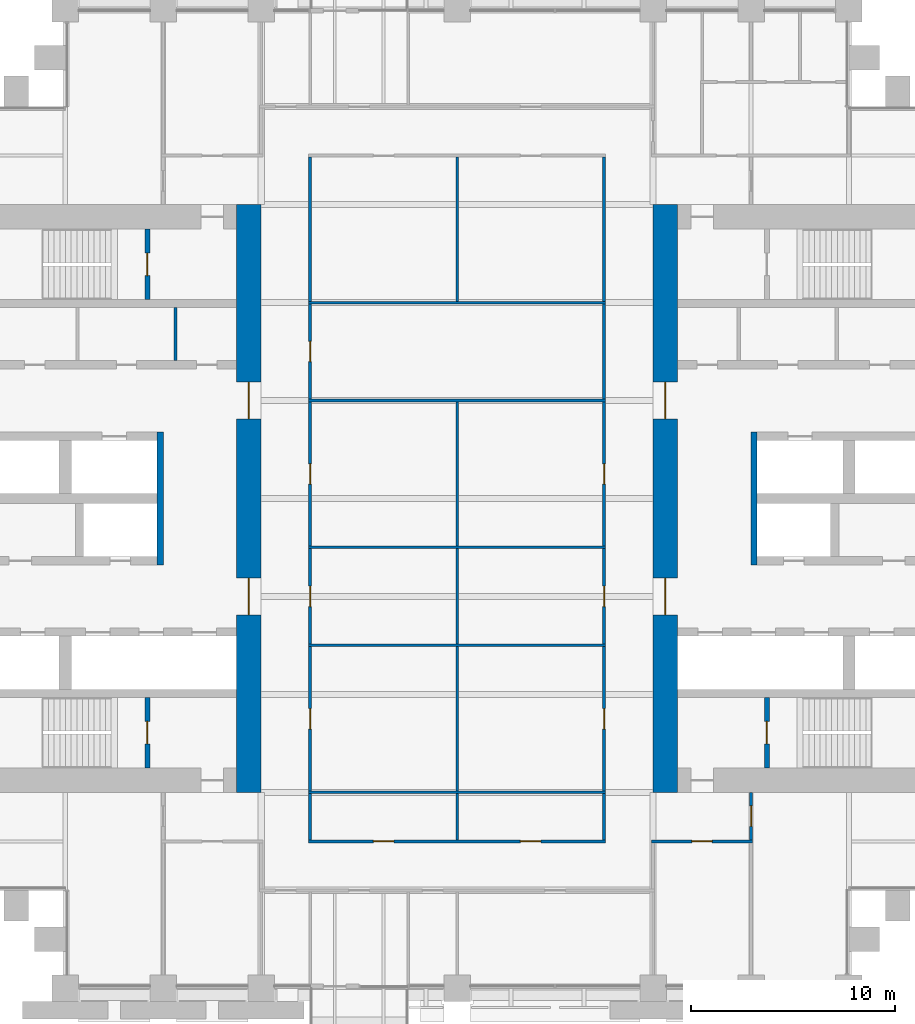
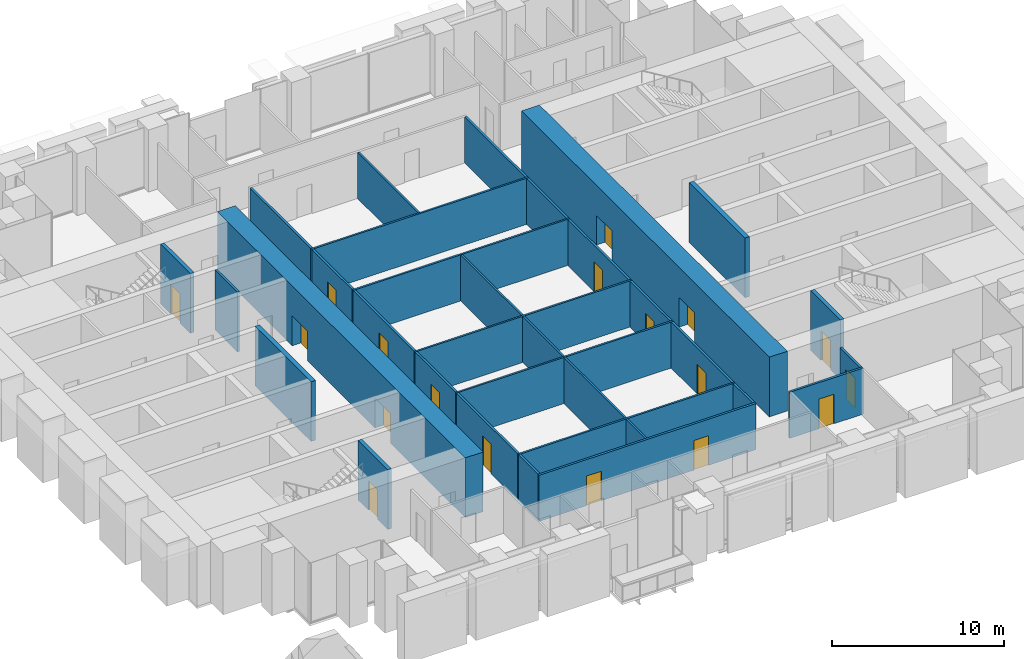
# One storey, part 24 of 32: 33 walls, 18 doors, 18 openings.
"""IFC4 building model written with IfcOpenShell, lengths in metres."""

from ifc_helpers import new_model, si_unit, direction, frame, frame_2d, origin, place, context, subcontext, project, spatial, rectangle, extrude, material, layer, layer_set, type_object, element, fill, save


model = new_model("IFC4")

# Units and contexts
model_context = context("Model", 3, precision=1e-05, world=origin(), true_north=direction((0.0, 1.0)))
body_context = subcontext(model_context, "Body", "Model", "MODEL_VIEW")
ifc_project = project(units=[si_unit("LENGTHUNIT", "METRE"), si_unit("AREAUNIT", "SQUARE_METRE"), si_unit("VOLUMEUNIT", "CUBIC_METRE"), si_unit("PLANEANGLEUNIT", "RADIAN"), si_unit("MASSUNIT", "GRAM", prefix="KILO")], contexts=[model_context])

# Site, building, storey
site_placement = place(None, origin())
site = spatial("IfcSite", under=ifc_project, at=site_placement, CompositionType="ELEMENT")
building_placement = place(site_placement, origin())
building = spatial("IfcBuilding", under=site, at=building_placement, Name="Baori Bourse Tower", CompositionType="ELEMENT")
storey_placement = place(building_placement, frame((0.0, 0.0, 21.39990234375)))
storey = spatial("IfcBuildingStorey", under=building, at=storey_placement, Name="L03", CompositionType="ELEMENT", Elevation=21.39990234375)

# Wall
ifc_material_1 = material(Name="Blockwork partition", Category="masonry")
ifc_layer_1 = layer(ifc_material_1, 0.14990234375)
ifc_layer_set_1 = layer_set([ifc_layer_1], Name="Core partition 150")
wall_type_1 = type_object("IfcWallType", Name="Core partition 150", PredefinedType="PARTITIONING", material=ifc_layer_set_1)
wall_1_placement = place(storey_placement, frame((15.0, 30.75, 0.0), z_axis=(0.0, 0.0, 1.0), x_axis=(0.0, 1.0, 0.0)))
element("IfcWall", 1, at=wall_1_placement, inside=storey, type_object=wall_type_1, Name="Partition wall W20", PredefinedType="PARTITIONING", context=body_context, shape_type="SweptSolid", body=[
    extrude(rectangle(XDim=2.60009765625, YDim=0.14990234375, at=frame_2d((1.300048828125, 0.0))), origin(), (0.0, 0.0, 1.0), 4.239990234375),
])

# Wall, openings, doors
ifc_material_2 = material(Name="Concrete f'c 70 MPa", Category="concrete")
ifc_layer_2 = layer(ifc_material_2, 1.199951171875)
ifc_layer_set_2 = layer_set([ifc_layer_2], Name="Core wall 1200 f'c 70")
wall_type_2 = type_object("IfcWallType", Name="Core wall 1200 f'c 70", PredefinedType="SHEAR", material=ifc_layer_set_2)
wall_2_placement = place(storey_placement, frame((18.60009765625, 38.39990234375, 0.0), z_axis=(0.0, 0.0, 1.0), x_axis=(0.0, -1.0, 0.0)))
wall_2 = element("IfcWall", 2, at=wall_2_placement, inside=storey, type_object=wall_type_2, Name="Core wall W04", PredefinedType="SHEAR", context=body_context, shape_type="SweptSolid", body=[
    extrude(rectangle(XDim=28.7998046875, YDim=1.199951171875, at=frame_2d((14.39990234375, 0.0))), origin(), (0.0, 0.0, 1.0), 4.239990234375),
])
opening_1_placement = place(wall_2_placement, frame((18.300048828125, 0.0, 0.0)))
opening_1 = element("IfcOpeningElement", 3, at=opening_1_placement, cuts=wall_2, Name="Opening L03-D107", PredefinedType="OPENING", context=body_context, shape_type="SweptSolid", body=[
    extrude(rectangle(XDim=1.800048828125, YDim=2.10009765625, at=frame_2d((0.89990234375, 1.050048828125))), frame((0.0, 0.60986328125, 0.0), z_axis=(0.0, -1.0, 0.0), x_axis=(1.0, 0.0, 0.0)), (0.0, 0.0, 1.0), 1.219970703125),
])
opening_2_placement = place(wall_2_placement, frame((8.699951171875, 0.0, 0.0)))
opening_2 = element("IfcOpeningElement", 4, at=opening_2_placement, cuts=wall_2, Name="Opening L03-D108", PredefinedType="OPENING", context=body_context, shape_type="SweptSolid", body=[
    extrude(rectangle(XDim=1.800048828125, YDim=2.10009765625, at=frame_2d((0.89990234375, 1.050048828125))), frame((0.0, 0.60986328125, 0.0), z_axis=(0.0, -1.0, 0.0), x_axis=(1.0, 0.0, 0.0)), (0.0, 0.0, 1.0), 1.219970703125),
])
ifc_material_3 = material(Name="Painted steel door", Category="steel")
door_type_1 = type_object("IfcDoorType", Name="Core lobby door 1800", OperationType="DOUBLE_DOOR_SINGLE_SWING", PredefinedType="DOOR", material=ifc_material_3)
door_1_placement = place(opening_1_placement, origin())
door_1 = element("IfcDoor", 5, at=door_1_placement, inside=storey, type_object=door_type_1, Name="Lobby door W L03", OperationType="DOUBLE_DOOR_SINGLE_SWING", OverallHeight=2.10009765625, OverallWidth=1.800048828125, PredefinedType="DOOR", context=body_context, shape_type="SweptSolid", body=[
    extrude(rectangle(XDim=1.800048828125, YDim=2.10009765625, at=frame_2d((0.89990234375, 1.050048828125))), frame((0.0, 0.02490234375, 0.0), z_axis=(0.0, -1.0, 0.0), x_axis=(1.0, 0.0, 0.0)), (0.0, 0.0, 1.0), 0.050048828125),
])
fill(opening_1, door_1)
door_2_placement = place(opening_2_placement, origin())
door_2 = element("IfcDoor", 6, at=door_2_placement, inside=storey, type_object=door_type_1, Name="Lobby door W L03", OperationType="DOUBLE_DOOR_SINGLE_SWING", OverallHeight=2.10009765625, OverallWidth=1.800048828125, PredefinedType="DOOR", context=body_context, shape_type="SweptSolid", body=[
    extrude(rectangle(XDim=1.800048828125, YDim=2.10009765625, at=frame_2d((0.89990234375, 1.050048828125))), frame((0.0, 0.02490234375, 0.0), z_axis=(0.0, -1.0, 0.0), x_axis=(1.0, 0.0, 0.0)), (0.0, 0.0, 1.0), 0.050048828125),
])
fill(opening_2, door_2)

wall_3_placement = place(storey_placement, frame((39.0, 9.60009765625, 0.0), z_axis=(0.0, 0.0, 1.0), x_axis=(0.0, 1.0, 0.0)))
wall_3 = element("IfcWall", 7, at=wall_3_placement, inside=storey, type_object=wall_type_2, Name="Core wall E04", PredefinedType="SHEAR", context=body_context, shape_type="SweptSolid", body=[
    extrude(rectangle(XDim=28.7998046875, YDim=1.199951171875, at=frame_2d((14.39990234375, 0.0))), origin(), (0.0, 0.0, 1.0), 4.239990234375),
])
opening_3_placement = place(wall_3_placement, frame((8.699951171875, 0.0, 0.0)))
opening_3 = element("IfcOpeningElement", 8, at=opening_3_placement, cuts=wall_3, Name="Opening L03-D207", PredefinedType="OPENING", context=body_context, shape_type="SweptSolid", body=[
    extrude(rectangle(XDim=1.800048828125, YDim=2.10009765625, at=frame_2d((0.89990234375, 1.050048828125))), frame((0.0, 0.60986328125, 0.0), z_axis=(0.0, -1.0, 0.0), x_axis=(1.0, 0.0, 0.0)), (0.0, 0.0, 1.0), 1.219970703125),
])
opening_4_placement = place(wall_3_placement, frame((18.300048828125, 0.0, 0.0)))
opening_4 = element("IfcOpeningElement", 9, at=opening_4_placement, cuts=wall_3, Name="Opening L03-D208", PredefinedType="OPENING", context=body_context, shape_type="SweptSolid", body=[
    extrude(rectangle(XDim=1.800048828125, YDim=2.10009765625, at=frame_2d((0.89990234375, 1.050048828125))), frame((0.0, 0.60986328125, 0.0), z_axis=(0.0, -1.0, 0.0), x_axis=(1.0, 0.0, 0.0)), (0.0, 0.0, 1.0), 1.219970703125),
])
door_3_placement = place(opening_3_placement, origin())
door_3 = element("IfcDoor", 10, at=door_3_placement, inside=storey, type_object=door_type_1, Name="Lobby door E L03", OperationType="DOUBLE_DOOR_SINGLE_SWING", OverallHeight=2.10009765625, OverallWidth=1.800048828125, PredefinedType="DOOR", context=body_context, shape_type="SweptSolid", body=[
    extrude(rectangle(XDim=1.800048828125, YDim=2.10009765625, at=frame_2d((0.89990234375, 1.050048828125))), frame((0.0, 0.02490234375, 0.0), z_axis=(0.0, -1.0, 0.0), x_axis=(1.0, 0.0, 0.0)), (0.0, 0.0, 1.0), 0.050048828125),
])
fill(opening_3, door_3)
door_4_placement = place(opening_4_placement, origin())
door_4 = element("IfcDoor", 11, at=door_4_placement, inside=storey, type_object=door_type_1, Name="Lobby door E L03", OperationType="DOUBLE_DOOR_SINGLE_SWING", OverallHeight=2.10009765625, OverallWidth=1.800048828125, PredefinedType="DOOR", context=body_context, shape_type="SweptSolid", body=[
    extrude(rectangle(XDim=1.800048828125, YDim=2.10009765625, at=frame_2d((0.89990234375, 1.050048828125))), frame((0.0, 0.02490234375, 0.0), z_axis=(0.0, -1.0, 0.0), x_axis=(1.0, 0.0, 0.0)), (0.0, 0.0, 1.0), 0.050048828125),
])
fill(opening_4, door_4)

ifc_material_4 = material(Name="Gypsum board partition")
ifc_layer_3 = layer(ifc_material_4, 0.14990234375)
ifc_layer_set_3 = layer_set([ifc_layer_3], Name="Corridor partition 150")
wall_type_3 = type_object("IfcWallType", Name="Corridor partition 150", PredefinedType="PARTITIONING", material=ifc_layer_set_3)
wall_4_placement = place(storey_placement, frame((21.52490234375, 7.199951171875, 0.0), z_axis=(0.0, 0.0, 1.0), x_axis=(1.0, 0.0, 0.0)))
wall_4 = element("IfcWall", 12, at=wall_4_placement, inside=storey, type_object=wall_type_3, Name="Partition", PredefinedType="PARTITIONING", context=body_context, shape_type="SweptSolid", body=[
    extrude(rectangle(XDim=14.550048828125, YDim=0.14990234375, at=frame_2d((7.27490234375, 0.0))), origin(), (0.0, 0.0, 1.0), 3.269775390625),
])
opening_5_placement = place(wall_4_placement, frame((3.175048828125, 0.0, 0.0)))
opening_5 = element("IfcOpeningElement", 13, at=opening_5_placement, cuts=wall_4, Name="Opening L03-D06", PredefinedType="OPENING", context=body_context, shape_type="SweptSolid", body=[
    extrude(rectangle(XDim=1.0, YDim=2.10009765625, at=frame_2d((0.5, 1.050048828125))), frame((0.0, 0.0849609375, 0.0), z_axis=(0.0, -1.0, 0.0), x_axis=(1.0, 0.0, 0.0)), (0.0, 0.0, 1.0), 0.169921875),
])
opening_6_placement = place(wall_4_placement, frame((10.375, 0.0, 0.0)))
opening_6 = element("IfcOpeningElement", 14, at=opening_6_placement, cuts=wall_4, Name="Opening L03-D07", PredefinedType="OPENING", context=body_context, shape_type="SweptSolid", body=[
    extrude(rectangle(XDim=1.0, YDim=2.10009765625, at=frame_2d((0.5, 1.050048828125))), frame((0.0, 0.0849609375, 0.0), z_axis=(0.0, -1.0, 0.0), x_axis=(1.0, 0.0, 0.0)), (0.0, 0.0, 1.0), 0.169921875),
])
ifc_material_5 = material(Name="Timber door leaf", Category="wood")
door_type_2 = type_object("IfcDoorType", Name="Door 1000 x 2100", OperationType="SINGLE_SWING_LEFT", PredefinedType="DOOR", material=ifc_material_5)
door_5_placement = place(opening_5_placement, origin())
door_5 = element("IfcDoor", 15, at=door_5_placement, inside=storey, type_object=door_type_2, Name="Door", OperationType="SINGLE_SWING_RIGHT", OverallHeight=2.10009765625, OverallWidth=1.0, PredefinedType="DOOR", context=body_context, shape_type="SweptSolid", body=[
    extrude(rectangle(XDim=1.0, YDim=2.10009765625, at=frame_2d((0.5, 1.050048828125))), frame((0.0, 0.02490234375, 0.0), z_axis=(0.0, -1.0, 0.0), x_axis=(1.0, 0.0, 0.0)), (0.0, 0.0, 1.0), 0.050048828125),
])
fill(opening_5, door_5)
door_6_placement = place(opening_6_placement, origin())
door_6 = element("IfcDoor", 16, at=door_6_placement, inside=storey, type_object=door_type_2, Name="Door", OperationType="SINGLE_SWING_LEFT", OverallHeight=2.10009765625, OverallWidth=1.0, PredefinedType="DOOR", context=body_context, shape_type="SweptSolid", body=[
    extrude(rectangle(XDim=1.0, YDim=2.10009765625, at=frame_2d((0.5, 1.050048828125))), frame((0.0, 0.02490234375, 0.0), z_axis=(0.0, -1.0, 0.0), x_axis=(1.0, 0.0, 0.0)), (0.0, 0.0, 1.0), 0.050048828125),
])
fill(opening_6, door_6)

# Wall, opening, door
wall_5_placement = place(storey_placement, frame((38.324951171875, 7.199951171875, 0.0), z_axis=(0.0, 0.0, 1.0), x_axis=(1.0, 0.0, 0.0)))
wall_5 = element("IfcWall", 17, at=wall_5_placement, inside=storey, type_object=wall_type_3, Name="Partition", PredefinedType="PARTITIONING", context=body_context, shape_type="SweptSolid", body=[
    extrude(rectangle(XDim=4.949951171875, YDim=0.14990234375, at=frame_2d((2.47509765625, 0.0))), origin(), (0.0, 0.0, 1.0), 3.269775390625),
])
opening_7_placement = place(wall_5_placement, frame((1.97509765625, 0.0, 0.0)))
opening_7 = element("IfcOpeningElement", 18, at=opening_7_placement, cuts=wall_5, Name="Opening L03-D08", PredefinedType="OPENING", context=body_context, shape_type="SweptSolid", body=[
    extrude(rectangle(XDim=1.0, YDim=2.10009765625, at=frame_2d((0.5, 1.050048828125))), frame((0.0, 0.0849609375, 0.0), z_axis=(0.0, -1.0, 0.0), x_axis=(1.0, 0.0, 0.0)), (0.0, 0.0, 1.0), 0.169921875),
])
door_7_placement = place(opening_7_placement, origin())
door_7 = element("IfcDoor", 19, at=door_7_placement, inside=storey, type_object=door_type_2, Name="Door", OperationType="SINGLE_SWING_LEFT", OverallHeight=2.10009765625, OverallWidth=1.0, PredefinedType="DOOR", context=body_context, shape_type="SweptSolid", body=[
    extrude(rectangle(XDim=1.0, YDim=2.10009765625, at=frame_2d((0.5, 1.050048828125))), frame((0.0, 0.02490234375, 0.0), z_axis=(0.0, -1.0, 0.0), x_axis=(1.0, 0.0, 0.0)), (0.0, 0.0, 1.0), 0.050048828125),
])
fill(opening_7, door_7)

# Wall
wall_6_placement = place(storey_placement, frame((21.60009765625, 7.27490234375, 0.0), z_axis=(0.0, 0.0, 1.0), x_axis=(0.0, 1.0, 0.0)))
element("IfcWall", 20, at=wall_6_placement, inside=storey, type_object=wall_type_3, Name="Partition", PredefinedType="PARTITIONING", context=body_context, shape_type="SweptSolid", body=[
    extrude(rectangle(XDim=2.2626953125, YDim=0.14990234375, at=frame_2d((1.13134765625, 0.0))), origin(), (0.0, 0.0, 1.0), 3.269775390625),
])

# Wall, opening, door
wall_7_placement = place(storey_placement, frame((21.60009765625, 9.66259765625, 0.0), z_axis=(0.0, 0.0, 1.0), x_axis=(0.0, 1.0, 0.0)))
wall_7 = element("IfcWall", 21, at=wall_7_placement, inside=storey, type_object=wall_type_3, Name="Partition", PredefinedType="PARTITIONING", context=body_context, shape_type="SweptSolid", body=[
    extrude(rectangle(XDim=7.074951171875, YDim=0.14990234375, at=frame_2d((3.53759765625, 0.0))), origin(), (0.0, 0.0, 1.0), 3.269775390625),
])
opening_8_placement = place(wall_7_placement, frame((3.03759765625, 0.0, 0.0)))
opening_8 = element("IfcOpeningElement", 22, at=opening_8_placement, cuts=wall_7, Name="Opening L03-D21", PredefinedType="OPENING", context=body_context, shape_type="SweptSolid", body=[
    extrude(rectangle(XDim=1.0, YDim=2.10009765625, at=frame_2d((0.5, 1.050048828125))), frame((0.0, 0.0849609375, 0.0), z_axis=(0.0, -1.0, 0.0), x_axis=(1.0, 0.0, 0.0)), (0.0, 0.0, 1.0), 0.169921875),
])
door_8_placement = place(opening_8_placement, origin())
door_8 = element("IfcDoor", 23, at=door_8_placement, inside=storey, type_object=door_type_2, Name="Door", OperationType="SINGLE_SWING_LEFT", OverallHeight=2.10009765625, OverallWidth=1.0, PredefinedType="DOOR", context=body_context, shape_type="SweptSolid", body=[
    extrude(rectangle(XDim=1.0, YDim=2.10009765625, at=frame_2d((0.5, 1.050048828125))), frame((0.0, 0.02490234375, 0.0), z_axis=(0.0, -1.0, 0.0), x_axis=(1.0, 0.0, 0.0)), (0.0, 0.0, 1.0), 0.050048828125),
])
fill(opening_8, door_8)

wall_8_placement = place(storey_placement, frame((21.60009765625, 16.862548828125, 0.0), z_axis=(0.0, 0.0, 1.0), x_axis=(0.0, 1.0, 0.0)))
wall_8 = element("IfcWall", 24, at=wall_8_placement, inside=storey, type_object=wall_type_3, Name="Partition", PredefinedType="PARTITIONING", context=body_context, shape_type="SweptSolid", body=[
    extrude(rectangle(XDim=4.675048828125, YDim=0.14990234375, at=frame_2d((2.33740234375, 0.0))), origin(), (0.0, 0.0, 1.0), 3.269775390625),
])
opening_9_placement = place(wall_8_placement, frame((1.83740234375, 0.0, 0.0)))
opening_9 = element("IfcOpeningElement", 25, at=opening_9_placement, cuts=wall_8, Name="Opening L03-D22", PredefinedType="OPENING", context=body_context, shape_type="SweptSolid", body=[
    extrude(rectangle(XDim=1.0, YDim=2.10009765625, at=frame_2d((0.5, 1.050048828125))), frame((0.0, 0.0849609375, 0.0), z_axis=(0.0, -1.0, 0.0), x_axis=(1.0, 0.0, 0.0)), (0.0, 0.0, 1.0), 0.169921875),
])
door_9_placement = place(opening_9_placement, origin())
door_9 = element("IfcDoor", 26, at=door_9_placement, inside=storey, type_object=door_type_2, Name="Door", OperationType="SINGLE_SWING_LEFT", OverallHeight=2.10009765625, OverallWidth=1.0, PredefinedType="DOOR", context=body_context, shape_type="SweptSolid", body=[
    extrude(rectangle(XDim=1.0, YDim=2.10009765625, at=frame_2d((0.5, 1.050048828125))), frame((0.0, 0.02490234375, 0.0), z_axis=(0.0, -1.0, 0.0), x_axis=(1.0, 0.0, 0.0)), (0.0, 0.0, 1.0), 0.050048828125),
])
fill(opening_9, door_9)

wall_9_placement = place(storey_placement, frame((21.60009765625, 21.66259765625, 0.0), z_axis=(0.0, 0.0, 1.0), x_axis=(0.0, 1.0, 0.0)))
wall_9 = element("IfcWall", 27, at=wall_9_placement, inside=storey, type_object=wall_type_3, Name="Partition", PredefinedType="PARTITIONING", context=body_context, shape_type="SweptSolid", body=[
    extrude(rectangle(XDim=7.074951171875, YDim=0.14990234375, at=frame_2d((3.53759765625, 0.0))), origin(), (0.0, 0.0, 1.0), 3.269775390625),
])
opening_10_placement = place(wall_9_placement, frame((3.03759765625, 0.0, 0.0)))
opening_10 = element("IfcOpeningElement", 28, at=opening_10_placement, cuts=wall_9, Name="Opening L03-D23", PredefinedType="OPENING", context=body_context, shape_type="SweptSolid", body=[
    extrude(rectangle(XDim=1.0, YDim=2.10009765625, at=frame_2d((0.5, 1.050048828125))), frame((0.0, 0.0849609375, 0.0), z_axis=(0.0, -1.0, 0.0), x_axis=(1.0, 0.0, 0.0)), (0.0, 0.0, 1.0), 0.169921875),
])
door_10_placement = place(opening_10_placement, origin())
door_10 = element("IfcDoor", 29, at=door_10_placement, inside=storey, type_object=door_type_2, Name="Door", OperationType="SINGLE_SWING_LEFT", OverallHeight=2.10009765625, OverallWidth=1.0, PredefinedType="DOOR", context=body_context, shape_type="SweptSolid", body=[
    extrude(rectangle(XDim=1.0, YDim=2.10009765625, at=frame_2d((0.5, 1.050048828125))), frame((0.0, 0.02490234375, 0.0), z_axis=(0.0, -1.0, 0.0), x_axis=(1.0, 0.0, 0.0)), (0.0, 0.0, 1.0), 0.050048828125),
])
fill(opening_10, door_10)

wall_10_placement = place(storey_placement, frame((21.60009765625, 28.862548828125, 0.0), z_axis=(0.0, 0.0, 1.0), x_axis=(0.0, 1.0, 0.0)))
wall_10 = element("IfcWall", 30, at=wall_10_placement, inside=storey, type_object=wall_type_3, Name="Partition", PredefinedType="PARTITIONING", context=body_context, shape_type="SweptSolid", body=[
    extrude(rectangle(XDim=4.675048828125, YDim=0.14990234375, at=frame_2d((2.33740234375, 0.0))), origin(), (0.0, 0.0, 1.0), 3.269775390625),
])
opening_11_placement = place(wall_10_placement, frame((1.83740234375, 0.0, 0.0)))
opening_11 = element("IfcOpeningElement", 31, at=opening_11_placement, cuts=wall_10, Name="Opening L03-D24", PredefinedType="OPENING", context=body_context, shape_type="SweptSolid", body=[
    extrude(rectangle(XDim=1.0, YDim=2.10009765625, at=frame_2d((0.5, 1.050048828125))), frame((0.0, 0.0849609375, 0.0), z_axis=(0.0, -1.0, 0.0), x_axis=(1.0, 0.0, 0.0)), (0.0, 0.0, 1.0), 0.169921875),
])
door_11_placement = place(opening_11_placement, origin())
door_11 = element("IfcDoor", 32, at=door_11_placement, inside=storey, type_object=door_type_2, Name="Door", OperationType="SINGLE_SWING_LEFT", OverallHeight=2.10009765625, OverallWidth=1.0, PredefinedType="DOOR", context=body_context, shape_type="SweptSolid", body=[
    extrude(rectangle(XDim=1.0, YDim=2.10009765625, at=frame_2d((0.5, 1.050048828125))), frame((0.0, 0.02490234375, 0.0), z_axis=(0.0, -1.0, 0.0), x_axis=(1.0, 0.0, 0.0)), (0.0, 0.0, 1.0), 0.050048828125),
])
fill(opening_11, door_11)

# Walls
wall_11_placement = place(storey_placement, frame((21.60009765625, 33.66259765625, 0.0), z_axis=(0.0, 0.0, 1.0), x_axis=(0.0, 1.0, 0.0)))
element("IfcWall", 33, at=wall_11_placement, inside=storey, type_object=wall_type_3, Name="Partition", PredefinedType="PARTITIONING", context=body_context, shape_type="SweptSolid", body=[
    extrude(rectangle(XDim=7.0625, YDim=0.14990234375, at=frame_2d((3.53125, 0.0))), origin(), (0.0, 0.0, 1.0), 3.269775390625),
])
wall_12_placement = place(storey_placement, frame((36.0, 7.27490234375, 0.0), z_axis=(0.0, 0.0, 1.0), x_axis=(0.0, 1.0, 0.0)))
element("IfcWall", 34, at=wall_12_placement, inside=storey, type_object=wall_type_3, Name="Partition", PredefinedType="PARTITIONING", context=body_context, shape_type="SweptSolid", body=[
    extrude(rectangle(XDim=2.2626953125, YDim=0.14990234375, at=frame_2d((1.13134765625, 0.0))), origin(), (0.0, 0.0, 1.0), 3.269775390625),
])

# Wall, opening, door
wall_13_placement = place(storey_placement, frame((36.0, 9.66259765625, 0.0), z_axis=(0.0, 0.0, 1.0), x_axis=(0.0, 1.0, 0.0)))
wall_13 = element("IfcWall", 35, at=wall_13_placement, inside=storey, type_object=wall_type_3, Name="Partition", PredefinedType="PARTITIONING", context=body_context, shape_type="SweptSolid", body=[
    extrude(rectangle(XDim=7.074951171875, YDim=0.14990234375, at=frame_2d((3.53759765625, 0.0))), origin(), (0.0, 0.0, 1.0), 3.269775390625),
])
opening_12_placement = place(wall_13_placement, frame((3.03759765625, 0.0, 0.0)))
opening_12 = element("IfcOpeningElement", 36, at=opening_12_placement, cuts=wall_13, Name="Opening L03-D25", PredefinedType="OPENING", context=body_context, shape_type="SweptSolid", body=[
    extrude(rectangle(XDim=1.0, YDim=2.10009765625, at=frame_2d((0.5, 1.050048828125))), frame((0.0, 0.0849609375, 0.0), z_axis=(0.0, -1.0, 0.0), x_axis=(1.0, 0.0, 0.0)), (0.0, 0.0, 1.0), 0.169921875),
])
door_12_placement = place(opening_12_placement, origin())
door_12 = element("IfcDoor", 37, at=door_12_placement, inside=storey, type_object=door_type_2, Name="Door", OperationType="SINGLE_SWING_RIGHT", OverallHeight=2.10009765625, OverallWidth=1.0, PredefinedType="DOOR", context=body_context, shape_type="SweptSolid", body=[
    extrude(rectangle(XDim=1.0, YDim=2.10009765625, at=frame_2d((0.5, 1.050048828125))), frame((0.0, 0.02490234375, 0.0), z_axis=(0.0, -1.0, 0.0), x_axis=(1.0, 0.0, 0.0)), (0.0, 0.0, 1.0), 0.050048828125),
])
fill(opening_12, door_12)

wall_14_placement = place(storey_placement, frame((36.0, 16.862548828125, 0.0), z_axis=(0.0, 0.0, 1.0), x_axis=(0.0, 1.0, 0.0)))
wall_14 = element("IfcWall", 38, at=wall_14_placement, inside=storey, type_object=wall_type_3, Name="Partition", PredefinedType="PARTITIONING", context=body_context, shape_type="SweptSolid", body=[
    extrude(rectangle(XDim=4.675048828125, YDim=0.14990234375, at=frame_2d((2.33740234375, 0.0))), origin(), (0.0, 0.0, 1.0), 3.269775390625),
])
opening_13_placement = place(wall_14_placement, frame((1.83740234375, 0.0, 0.0)))
opening_13 = element("IfcOpeningElement", 39, at=opening_13_placement, cuts=wall_14, Name="Opening L03-D26", PredefinedType="OPENING", context=body_context, shape_type="SweptSolid", body=[
    extrude(rectangle(XDim=1.0, YDim=2.10009765625, at=frame_2d((0.5, 1.050048828125))), frame((0.0, 0.0849609375, 0.0), z_axis=(0.0, -1.0, 0.0), x_axis=(1.0, 0.0, 0.0)), (0.0, 0.0, 1.0), 0.169921875),
])
door_13_placement = place(opening_13_placement, origin())
door_13 = element("IfcDoor", 40, at=door_13_placement, inside=storey, type_object=door_type_2, Name="Door", OperationType="SINGLE_SWING_RIGHT", OverallHeight=2.10009765625, OverallWidth=1.0, PredefinedType="DOOR", context=body_context, shape_type="SweptSolid", body=[
    extrude(rectangle(XDim=1.0, YDim=2.10009765625, at=frame_2d((0.5, 1.050048828125))), frame((0.0, 0.02490234375, 0.0), z_axis=(0.0, -1.0, 0.0), x_axis=(1.0, 0.0, 0.0)), (0.0, 0.0, 1.0), 0.050048828125),
])
fill(opening_13, door_13)

wall_15_placement = place(storey_placement, frame((36.0, 21.66259765625, 0.0), z_axis=(0.0, 0.0, 1.0), x_axis=(0.0, 1.0, 0.0)))
wall_15 = element("IfcWall", 41, at=wall_15_placement, inside=storey, type_object=wall_type_3, Name="Partition", PredefinedType="PARTITIONING", context=body_context, shape_type="SweptSolid", body=[
    extrude(rectangle(XDim=7.074951171875, YDim=0.14990234375, at=frame_2d((3.53759765625, 0.0))), origin(), (0.0, 0.0, 1.0), 3.269775390625),
])
opening_14_placement = place(wall_15_placement, frame((3.03759765625, 0.0, 0.0)))
opening_14 = element("IfcOpeningElement", 42, at=opening_14_placement, cuts=wall_15, Name="Opening L03-D27", PredefinedType="OPENING", context=body_context, shape_type="SweptSolid", body=[
    extrude(rectangle(XDim=1.0, YDim=2.10009765625, at=frame_2d((0.5, 1.050048828125))), frame((0.0, 0.0849609375, 0.0), z_axis=(0.0, -1.0, 0.0), x_axis=(1.0, 0.0, 0.0)), (0.0, 0.0, 1.0), 0.169921875),
])
door_14_placement = place(opening_14_placement, origin())
door_14 = element("IfcDoor", 43, at=door_14_placement, inside=storey, type_object=door_type_2, Name="Door", OperationType="SINGLE_SWING_RIGHT", OverallHeight=2.10009765625, OverallWidth=1.0, PredefinedType="DOOR", context=body_context, shape_type="SweptSolid", body=[
    extrude(rectangle(XDim=1.0, YDim=2.10009765625, at=frame_2d((0.5, 1.050048828125))), frame((0.0, 0.02490234375, 0.0), z_axis=(0.0, -1.0, 0.0), x_axis=(1.0, 0.0, 0.0)), (0.0, 0.0, 1.0), 0.050048828125),
])
fill(opening_14, door_14)

# Walls
wall_16_placement = place(storey_placement, frame((36.0, 28.862548828125, 0.0), z_axis=(0.0, 0.0, 1.0), x_axis=(0.0, 1.0, 0.0)))
element("IfcWall", 44, at=wall_16_placement, inside=storey, type_object=wall_type_3, Name="Partition", PredefinedType="PARTITIONING", context=body_context, shape_type="SweptSolid", body=[
    extrude(rectangle(XDim=4.675048828125, YDim=0.14990234375, at=frame_2d((2.33740234375, 0.0))), origin(), (0.0, 0.0, 1.0), 3.269775390625),
])
wall_17_placement = place(storey_placement, frame((36.0, 33.66259765625, 0.0), z_axis=(0.0, 0.0, 1.0), x_axis=(0.0, 1.0, 0.0)))
element("IfcWall", 45, at=wall_17_placement, inside=storey, type_object=wall_type_3, Name="Partition", PredefinedType="PARTITIONING", context=body_context, shape_type="SweptSolid", body=[
    extrude(rectangle(XDim=7.0625, YDim=0.14990234375, at=frame_2d((3.53125, 0.0))), origin(), (0.0, 0.0, 1.0), 3.269775390625),
])

# Wall, opening, door
wall_18_placement = place(storey_placement, frame((43.199951171875, 7.27490234375, 0.0), z_axis=(0.0, 0.0, 1.0), x_axis=(0.0, 1.0, 0.0)))
wall_18 = element("IfcWall", 46, at=wall_18_placement, inside=storey, type_object=wall_type_3, Name="Partition", PredefinedType="PARTITIONING", context=body_context, shape_type="SweptSolid", body=[
    extrude(rectangle(XDim=2.3251953125, YDim=0.14990234375, at=frame_2d((1.16259765625, 0.0))), origin(), (0.0, 0.0, 1.0), 3.269775390625),
])
opening_15_placement = place(wall_18_placement, frame((0.66259765625, 0.0, 0.0)))
opening_15 = element("IfcOpeningElement", 47, at=opening_15_placement, cuts=wall_18, Name="Opening L03-D29", PredefinedType="OPENING", context=body_context, shape_type="SweptSolid", body=[
    extrude(rectangle(XDim=1.0, YDim=2.10009765625, at=frame_2d((0.5, 1.050048828125))), frame((0.0, 0.0849609375, 0.0), z_axis=(0.0, -1.0, 0.0), x_axis=(1.0, 0.0, 0.0)), (0.0, 0.0, 1.0), 0.169921875),
])
door_15_placement = place(opening_15_placement, origin())
door_15 = element("IfcDoor", 48, at=door_15_placement, inside=storey, type_object=door_type_2, Name="Door", OperationType="SINGLE_SWING_LEFT", OverallHeight=2.10009765625, OverallWidth=1.0, PredefinedType="DOOR", context=body_context, shape_type="SweptSolid", body=[
    extrude(rectangle(XDim=1.0, YDim=2.10009765625, at=frame_2d((0.5, 1.050048828125))), frame((0.0, 0.02490234375, 0.0), z_axis=(0.0, -1.0, 0.0), x_axis=(1.0, 0.0, 0.0)), (0.0, 0.0, 1.0), 0.050048828125),
])
fill(opening_15, door_15)

# Walls
ifc_material_6 = material(Name="Gypsum board partition")
ifc_layer_4 = layer(ifc_material_6, 0.125)
ifc_layer_set_4 = layer_set([ifc_layer_4], Name="Partition 125")
wall_type_4 = type_object("IfcWallType", Name="Partition 125", PredefinedType="PARTITIONING", material=ifc_layer_set_4)
for number, where, z_axis, x_axis, name in (
    (49, (21.52490234375, 9.60009765625, 0.0), (0.0, 0.0, 1.0), (1.0, 0.0, 0.0), "Partition"),
    (50, (21.52490234375, 16.800048828125, 0.0), (0.0, 0.0, 1.0), (1.0, 0.0, 0.0), "Partition"),
    (51, (21.52490234375, 21.60009765625, 0.0), (0.0, 0.0, 1.0), (1.0, 0.0, 0.0), "Partition"),
    (52, (21.52490234375, 28.800048828125, 0.0), (0.0, 0.0, 1.0), (1.0, 0.0, 0.0), "Partition"),
    (53, (21.52490234375, 33.60009765625, 0.0), (0.0, 0.0, 1.0), (1.0, 0.0, 0.0), "Partition"),
):
    element("IfcWall", number, at=place(storey_placement, frame(where, z_axis=z_axis, x_axis=x_axis)), inside=storey, type_object=wall_type_4, Name=name, PredefinedType="PARTITIONING", context=body_context, shape_type="SweptSolid", body=[
        extrude(rectangle(XDim=14.550048828125, YDim=0.125, at=frame_2d((7.27490234375, 0.0))), origin(), (0.0, 0.0, 1.0), 3.269775390625),
    ])
wall_19_placement = place(storey_placement, frame((28.800048828125, 7.27490234375, 0.0), z_axis=(0.0, 0.0, 1.0), x_axis=(0.0, 1.0, 0.0)))
element("IfcWall", 54, at=wall_19_placement, inside=storey, type_object=wall_type_4, Name="Partition", PredefinedType="PARTITIONING", context=body_context, shape_type="SweptSolid", body=[
    extrude(rectangle(XDim=2.2626953125, YDim=0.125, at=frame_2d((1.13134765625, 0.0))), origin(), (0.0, 0.0, 1.0), 3.269775390625),
])
wall_20_placement = place(storey_placement, frame((28.800048828125, 9.66259765625, 0.0), z_axis=(0.0, 0.0, 1.0), x_axis=(0.0, 1.0, 0.0)))
element("IfcWall", 55, at=wall_20_placement, inside=storey, type_object=wall_type_4, Name="Partition", PredefinedType="PARTITIONING", context=body_context, shape_type="SweptSolid", body=[
    extrude(rectangle(XDim=7.074951171875, YDim=0.125, at=frame_2d((3.53759765625, 0.0))), origin(), (0.0, 0.0, 1.0), 3.269775390625),
])
wall_21_placement = place(storey_placement, frame((28.800048828125, 16.862548828125, 0.0), z_axis=(0.0, 0.0, 1.0), x_axis=(0.0, 1.0, 0.0)))
element("IfcWall", 56, at=wall_21_placement, inside=storey, type_object=wall_type_4, Name="Partition", PredefinedType="PARTITIONING", context=body_context, shape_type="SweptSolid", body=[
    extrude(rectangle(XDim=4.675048828125, YDim=0.125, at=frame_2d((2.33740234375, 0.0))), origin(), (0.0, 0.0, 1.0), 3.269775390625),
])
wall_22_placement = place(storey_placement, frame((28.800048828125, 21.66259765625, 0.0), z_axis=(0.0, 0.0, 1.0), x_axis=(0.0, 1.0, 0.0)))
element("IfcWall", 57, at=wall_22_placement, inside=storey, type_object=wall_type_4, Name="Partition", PredefinedType="PARTITIONING", context=body_context, shape_type="SweptSolid", body=[
    extrude(rectangle(XDim=7.074951171875, YDim=0.125, at=frame_2d((3.53759765625, 0.0))), origin(), (0.0, 0.0, 1.0), 3.269775390625),
])
wall_23_placement = place(storey_placement, frame((28.800048828125, 33.66259765625, 0.0), z_axis=(0.0, 0.0, 1.0), x_axis=(0.0, 1.0, 0.0)))
element("IfcWall", 58, at=wall_23_placement, inside=storey, type_object=wall_type_4, Name="Partition", PredefinedType="PARTITIONING", context=body_context, shape_type="SweptSolid", body=[
    extrude(rectangle(XDim=7.0625, YDim=0.125, at=frame_2d((3.53125, 0.0))), origin(), (0.0, 0.0, 1.0), 3.269775390625),
])

# Wall, opening, door
ifc_material_7 = material(Name="Concrete f'c 70 MPa", Category="concrete")
ifc_layer_5 = layer(ifc_material_7, 0.25)
ifc_layer_set_5 = layer_set([ifc_layer_5], Name="Shaft wall 250 f'c 70")
wall_type_5 = type_object("IfcWallType", Name="Shaft wall 250 f'c 70", PredefinedType="SHEAR", material=ifc_layer_set_5)
wall_24_placement = place(storey_placement, frame((13.625, 10.800048828125, 0.0), z_axis=(0.0, 0.0, 1.0), x_axis=(0.0, 1.0, 0.0)))
wall_24 = element("IfcWall", 59, at=wall_24_placement, inside=storey, type_object=wall_type_5, Name="Core wall W06", PredefinedType="SHEAR", context=body_context, shape_type="SweptSolid", body=[
    extrude(rectangle(XDim=3.449951171875, YDim=0.25, at=frame_2d((1.72509765625, 0.0))), origin(), (0.0, 0.0, 1.0), 4.239990234375),
])
opening_16_placement = place(wall_24_placement, frame((1.175048828125, 0.0, 0.0)))
opening_16 = element("IfcOpeningElement", 60, at=opening_16_placement, cuts=wall_24, Name="Opening L03-D101", PredefinedType="OPENING", context=body_context, shape_type="SweptSolid", body=[
    extrude(rectangle(XDim=1.10009765625, YDim=2.10009765625, at=frame_2d((0.550048828125, 1.050048828125))), frame((0.0, 0.135009765625, 0.0), z_axis=(0.0, -1.0, 0.0), x_axis=(1.0, 0.0, 0.0)), (0.0, 0.0, 1.0), 0.27001953125),
])
ifc_material_8 = material(Name="Painted steel door", Category="steel")
door_type_3 = type_object("IfcDoorType", Name="Stair door 1100", OperationType="SINGLE_SWING_LEFT", PredefinedType="DOOR", material=ifc_material_8)
door_16_placement = place(opening_16_placement, origin())
door_16 = element("IfcDoor", 61, at=door_16_placement, inside=storey, type_object=door_type_3, Name="Stair door A W L03", OperationType="SINGLE_SWING_LEFT", OverallHeight=2.10009765625, OverallWidth=1.10009765625, PredefinedType="DOOR", context=body_context, shape_type="SweptSolid", body=[
    extrude(rectangle(XDim=1.10009765625, YDim=2.10009765625, at=frame_2d((0.550048828125, 1.050048828125))), frame((0.0, 0.02490234375, 0.0), z_axis=(0.0, -1.0, 0.0), x_axis=(1.0, 0.0, 0.0)), (0.0, 0.0, 1.0), 0.050048828125),
])
fill(opening_16, door_16)

wall_25_placement = place(storey_placement, frame((13.625, 33.75, 0.0), z_axis=(0.0, 0.0, 1.0), x_axis=(0.0, 1.0, 0.0)))
wall_25 = element("IfcWall", 62, at=wall_25_placement, inside=storey, type_object=wall_type_5, Name="Core wall W23", PredefinedType="SHEAR", context=body_context, shape_type="SweptSolid", body=[
    extrude(rectangle(XDim=3.449951171875, YDim=0.25, at=frame_2d((1.72509765625, 0.0))), origin(), (0.0, 0.0, 1.0), 4.239990234375),
])
opening_17_placement = place(wall_25_placement, frame((1.175048828125, 0.0, 0.0)))
opening_17 = element("IfcOpeningElement", 63, at=opening_17_placement, cuts=wall_25, Name="Opening L03-D103", PredefinedType="OPENING", context=body_context, shape_type="SweptSolid", body=[
    extrude(rectangle(XDim=1.10009765625, YDim=2.10009765625, at=frame_2d((0.550048828125, 1.050048828125))), frame((0.0, 0.135009765625, 0.0), z_axis=(0.0, -1.0, 0.0), x_axis=(1.0, 0.0, 0.0)), (0.0, 0.0, 1.0), 0.27001953125),
])
door_17_placement = place(opening_17_placement, origin())
door_17 = element("IfcDoor", 64, at=door_17_placement, inside=storey, type_object=door_type_3, Name="Stair door B W L03", OperationType="SINGLE_SWING_LEFT", OverallHeight=2.10009765625, OverallWidth=1.10009765625, PredefinedType="DOOR", context=body_context, shape_type="SweptSolid", body=[
    extrude(rectangle(XDim=1.10009765625, YDim=2.10009765625, at=frame_2d((0.550048828125, 1.050048828125))), frame((0.0, 0.02490234375, 0.0), z_axis=(0.0, -1.0, 0.0), x_axis=(1.0, 0.0, 0.0)), (0.0, 0.0, 1.0), 0.050048828125),
])
fill(opening_17, door_17)

wall_26_placement = place(storey_placement, frame((43.97509765625, 10.800048828125, 0.0), z_axis=(0.0, 0.0, 1.0), x_axis=(0.0, 1.0, 0.0)))
wall_26 = element("IfcWall", 65, at=wall_26_placement, inside=storey, type_object=wall_type_5, Name="Core wall E06", PredefinedType="SHEAR", context=body_context, shape_type="SweptSolid", body=[
    extrude(rectangle(XDim=3.449951171875, YDim=0.25, at=frame_2d((1.72509765625, 0.0))), origin(), (0.0, 0.0, 1.0), 4.239990234375),
])
opening_18_placement = place(wall_26_placement, frame((1.175048828125, 0.0, 0.0)))
opening_18 = element("IfcOpeningElement", 66, at=opening_18_placement, cuts=wall_26, Name="Opening L03-D201", PredefinedType="OPENING", context=body_context, shape_type="SweptSolid", body=[
    extrude(rectangle(XDim=1.10009765625, YDim=2.10009765625, at=frame_2d((0.550048828125, 1.050048828125))), frame((0.0, 0.135009765625, 0.0), z_axis=(0.0, -1.0, 0.0), x_axis=(1.0, 0.0, 0.0)), (0.0, 0.0, 1.0), 0.27001953125),
])
door_18_placement = place(opening_18_placement, origin())
door_18 = element("IfcDoor", 67, at=door_18_placement, inside=storey, type_object=door_type_3, Name="Stair door A E L03", OperationType="SINGLE_SWING_LEFT", OverallHeight=2.10009765625, OverallWidth=1.10009765625, PredefinedType="DOOR", context=body_context, shape_type="SweptSolid", body=[
    extrude(rectangle(XDim=1.10009765625, YDim=2.10009765625, at=frame_2d((0.550048828125, 1.050048828125))), frame((0.0, 0.02490234375, 0.0), z_axis=(0.0, -1.0, 0.0), x_axis=(1.0, 0.0, 0.0)), (0.0, 0.0, 1.0), 0.050048828125),
])
fill(opening_18, door_18)

# Walls
ifc_material_9 = material(Name="Concrete f'c 70 MPa", Category="concrete")
ifc_layer_6 = layer(ifc_material_9, 0.300048828125)
ifc_layer_set_6 = layer_set([ifc_layer_6], Name="Shaft wall 300 f'c 70")
wall_type_6 = type_object("IfcWallType", Name="Shaft wall 300 f'c 70", PredefinedType="SHEAR", material=ifc_layer_set_6)
for number, where, z_axis, x_axis, name in (
    (68, (14.25, 20.75, 0.0), (0.0, 0.0, 1.0), (0.0, 1.0, 0.0), "Core wall W11"),
    (69, (43.35009765625, 20.75, 0.0), (0.0, 0.0, 1.0), (0.0, 1.0, 0.0), "Core wall E11"),
):
    element("IfcWall", number, at=place(storey_placement, frame(where, z_axis=z_axis, x_axis=x_axis)), inside=storey, type_object=wall_type_6, Name=name, PredefinedType="SHEAR", context=body_context, shape_type="SweptSolid", body=[
        extrude(rectangle(XDim=6.5, YDim=0.300048828125, at=frame_2d((3.25, 0.0))), origin(), (0.0, 0.0, 1.0), 4.239990234375),
    ])

save(model, "model.ifc")
